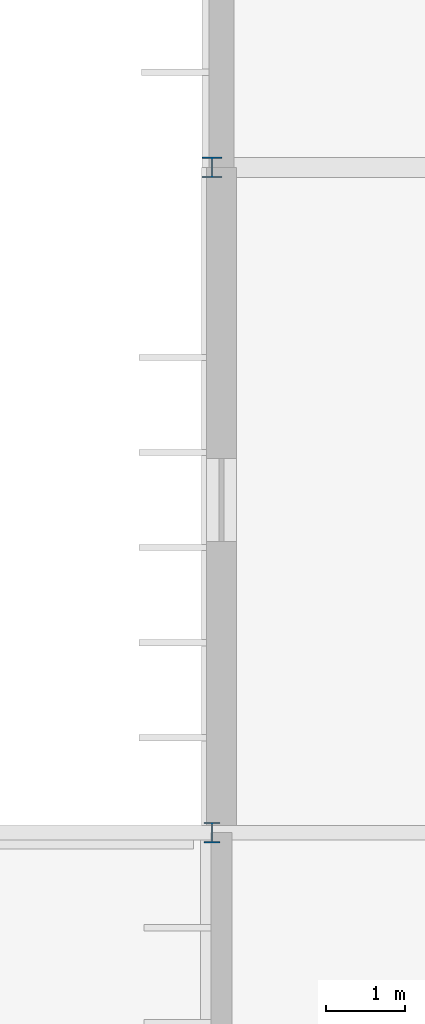
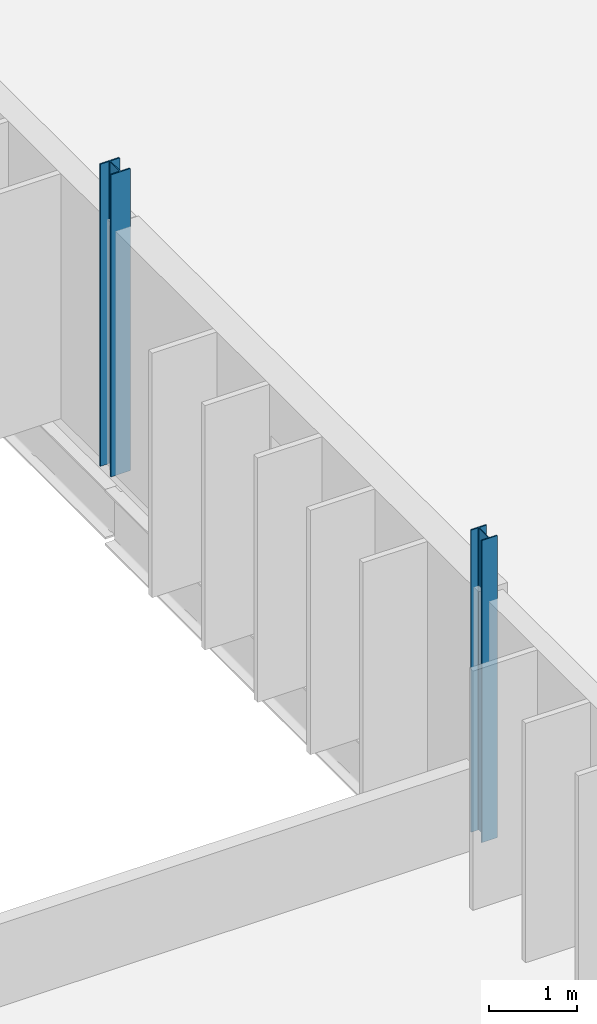
# One storey, part 10 of 61: 2 columns.
"""IFC4 building model written with IfcOpenShell, lengths in metres."""

from ifc_helpers import new_model, si_unit, direction, frame, origin, origin_2d, place, context, subcontext, project, spatial, i_section, extrude, material, material_profile, profile_set, type_object, element, save


model = new_model("IFC4")

# Units and contexts
model_context = context("Model", 3, precision=1e-05, world=origin(), true_north=direction((0.0, 1.0)))
body_context = subcontext(model_context, "Body", "Model", "MODEL_VIEW")
ifc_project = project(units=[si_unit("LENGTHUNIT", "METRE"), si_unit("AREAUNIT", "SQUARE_METRE"), si_unit("VOLUMEUNIT", "CUBIC_METRE"), si_unit("PLANEANGLEUNIT", "RADIAN"), si_unit("MASSUNIT", "GRAM", prefix="KILO")], contexts=[model_context])

# Site, building, storey
site_placement = place(None, origin())
site = spatial("IfcSite", under=ifc_project, at=site_placement, CompositionType="ELEMENT")
building_placement = place(site_placement, origin())
building = spatial("IfcBuilding", under=site, at=building_placement, Name="Qelthora Terrace Specialist Clinic", CompositionType="ELEMENT")
storey_placement = place(building_placement, frame((0.0, 0.0, 13.199951171875)))
storey = spatial("IfcBuildingStorey", under=building, at=storey_placement, Name="L03", CompositionType="ELEMENT", Elevation=13.199951171875)

# Columns
ifc_material = material(Name="Steel S355", Category="steel")
ifc_material_profile_1 = material_profile(ifc_material, i_section(OverallWidth=0.2041015625, OverallDepth=0.257080078125, WebThickness=0.0087890625, FlangeThickness=0.015625, FilletRadius=0.012939453125, at=origin_2d()), Name="W250X67")
ifc_profile_set_1 = profile_set([ifc_material_profile_1], Name="Steel S355")
column_type_1 = type_object("IfcColumnType", Name="COL-W250X67", PredefinedType="COLUMN", material=ifc_profile_set_1)
column_1_placement = place(storey_placement, frame((93.60009765625, 67.199951171875, 0.0), z_axis=(0.0, 0.0, 1.0), x_axis=(1.0, 0.0, 0.0)))
element("IfcColumn", 1, at=column_1_placement, inside=storey, type_object=column_type_1, Name="Column L03-155", PredefinedType="COLUMN", context=body_context, shape_type="SweptSolid", body=[
    extrude(i_section(OverallWidth=0.2041015625, OverallDepth=0.257080078125, WebThickness=0.0087890625, FlangeThickness=0.015625, FilletRadius=0.012939453125, at=origin_2d()), origin(), (0.0, 0.0, 1.0), 4.199951171875),
])
ifc_material_profile_2 = material_profile(ifc_material, i_section(OverallWidth=0.256103515625, OverallDepth=0.260009765625, WebThickness=0.0107421875, FlangeThickness=0.017333984375, FilletRadius=0.012939453125, at=origin_2d()), Name="W250X89")
ifc_profile_set_2 = profile_set([ifc_material_profile_2], Name="Steel S355")
column_type_2 = type_object("IfcColumnType", Name="COL-W250X89", PredefinedType="COLUMN", material=ifc_profile_set_2)
column_2_placement = place(storey_placement, frame((93.60009765625, 75.60009765625, 0.0), z_axis=(0.0, 0.0, 1.0), x_axis=(1.0, 0.0, 0.0)))
element("IfcColumn", 2, at=column_2_placement, inside=storey, type_object=column_type_2, Name="Column L03-156", PredefinedType="COLUMN", context=body_context, shape_type="SweptSolid", body=[
    extrude(i_section(OverallWidth=0.256103515625, OverallDepth=0.260009765625, WebThickness=0.0107421875, FlangeThickness=0.017333984375, FilletRadius=0.012939453125, at=origin_2d()), origin(), (0.0, 0.0, 1.0), 4.199951171875),
])

save(model, "model.ifc")
